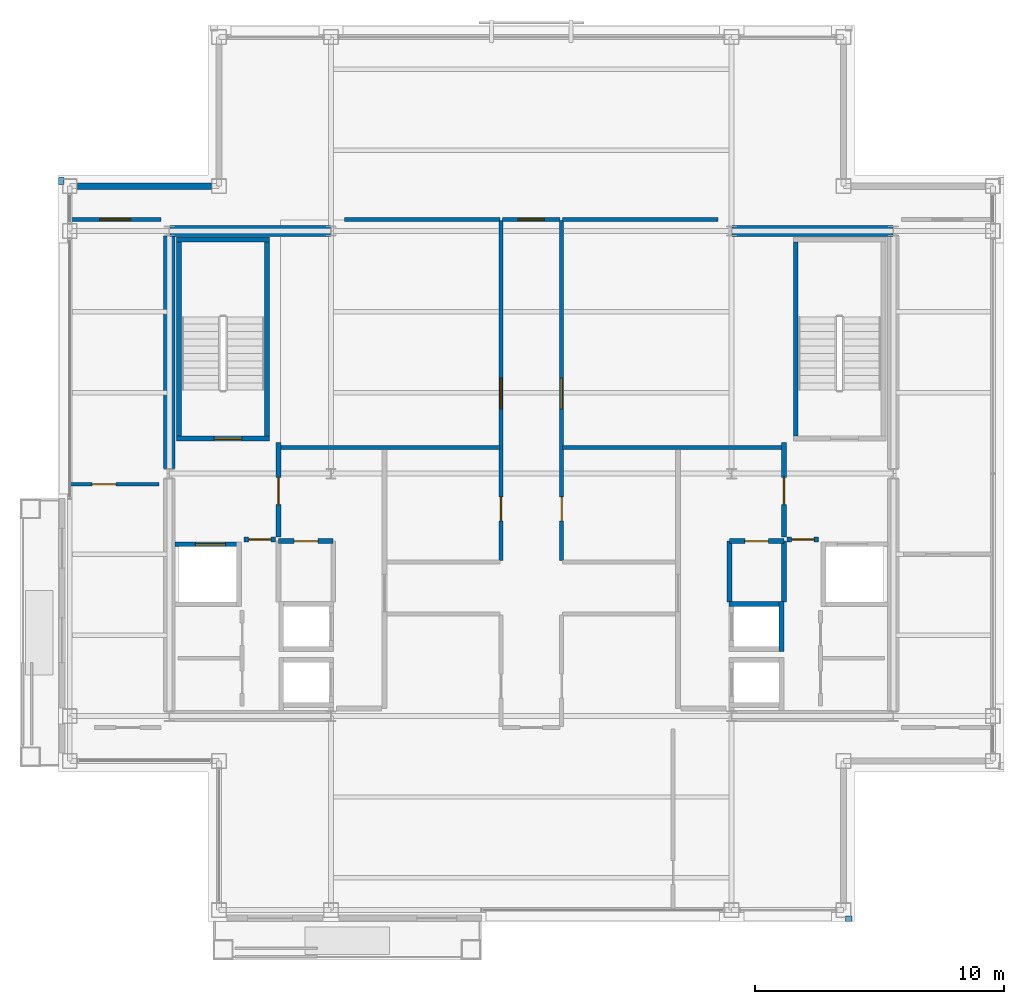
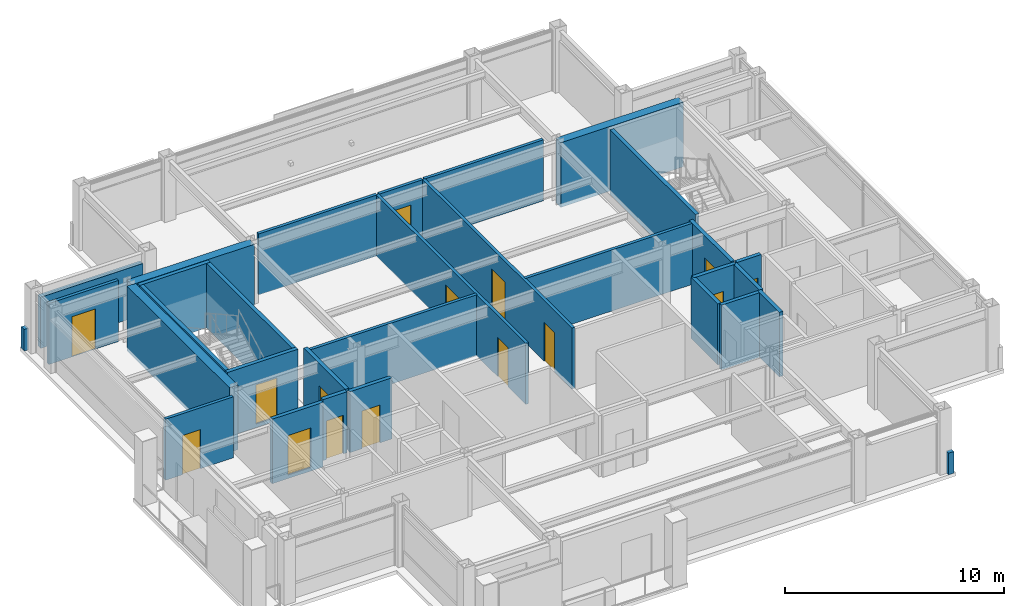
# One storey, part 21 of 24: 31 walls, 15 doors, 15 openings.
"""IFC4 building model written with IfcOpenShell, lengths in metres."""

from ifc_helpers import new_model, si_unit, direction, frame, frame_2d, origin, place, context, subcontext, project, spatial, rectangle, extrude, material, layer, layer_set, type_object, element, fill, save


model = new_model("IFC4")

# Units and contexts
model_context = context("Model", 3, precision=1e-05, world=origin(), true_north=direction((0.0, 1.0)))
body_context = subcontext(model_context, "Body", "Model", "MODEL_VIEW")
ifc_project = project(units=[si_unit("LENGTHUNIT", "METRE"), si_unit("AREAUNIT", "SQUARE_METRE"), si_unit("VOLUMEUNIT", "CUBIC_METRE"), si_unit("PLANEANGLEUNIT", "RADIAN"), si_unit("MASSUNIT", "GRAM", prefix="KILO")], contexts=[model_context])

# Site, building, storey
site_placement = place(None, origin())
site = spatial("IfcSite", under=ifc_project, at=site_placement, CompositionType="ELEMENT")
building_placement = place(site_placement, origin())
building = spatial("IfcBuilding", under=site, at=building_placement, Name="Brelmoor Portico Tower", CompositionType="ELEMENT")
storey_placement = place(building_placement, frame((0.0, 0.0, 254.39990234375)))
storey = spatial("IfcBuildingStorey", under=building, at=storey_placement, Name="L67", CompositionType="ELEMENT", Elevation=254.39990234375)

# Walls
ifc_material_1 = material(Name="Concrete C50", Category="concrete")
ifc_layer_1 = layer(ifc_material_1, 0.449951171875)
ifc_layer_set_1 = layer_set([ifc_layer_1], Name="Concrete C50")
wall_type_1 = type_object("IfcWallType", Name="WL-CORE-450", PredefinedType="SHEAR", material=ifc_layer_set_1)
wall_1_placement = place(storey_placement, frame((-14.530029296875, 9.75, -0.199951171875), z_axis=(0.0, 0.0, 1.0), x_axis=(1.0, 0.0, 0.0)))
element("IfcWall", 1, at=wall_1_placement, inside=storey, type_object=wall_type_1, Name="L67 WC North Shear Wall", PredefinedType="SHEAR", context=body_context, shape_type="SweptSolid", body=[
    extrude(rectangle(XDim=6.4599609375, YDim=0.449951171875, at=frame_2d((3.22998046875, 0.0))), origin(), (0.0, 0.0, 1.0), 3.60009765625),
])
wall_2_placement = place(storey_placement, frame((-14.550048828125, 0.199951171875, -0.199951171875), z_axis=(0.0, 0.0, 1.0), x_axis=(0.0, 1.0, 0.0)))
element("IfcWall", 2, at=wall_2_placement, inside=storey, type_object=wall_type_1, Name="L67 WC Outer North Shear Wall", PredefinedType="SHEAR", context=body_context, shape_type="SweptSolid", body=[
    extrude(rectangle(XDim=9.35009765625, YDim=0.449951171875, at=frame_2d((4.675048828125, 0.0))), origin(), (0.0, 0.0, 1.0), 3.60009765625),
])
wall_3_placement = place(storey_placement, frame((8.070068359375, 9.75, -0.199951171875), z_axis=(0.0, 0.0, 1.0), x_axis=(1.0, 0.0, 0.0)))
element("IfcWall", 3, at=wall_3_placement, inside=storey, type_object=wall_type_1, Name="L67 EC North Shear Wall", PredefinedType="SHEAR", context=body_context, shape_type="SweptSolid", body=[
    extrude(rectangle(XDim=6.4599609375, YDim=0.449951171875, at=frame_2d((3.22998046875, 0.0))), origin(), (0.0, 0.0, 1.0), 3.60009765625),
])
ifc_material_2 = material(Name="Precast Concrete C40 Insulated Facade Wall", Category="concrete")
ifc_layer_2 = layer(ifc_material_2, 0.25)
ifc_layer_set_2 = layer_set([ifc_layer_2], Name="Precast Concrete C40 Insulated Facade Wall")
wall_type_2 = type_object("IfcWallType", Name="WL-EXT-250", PredefinedType="STANDARD", material=ifc_layer_set_2)
wall_4_placement = place(storey_placement, frame((-18.239990234375, 11.550048828125, 0.0), z_axis=(0.0, 0.0, 1.0), x_axis=(1.0, 0.0, 0.0)))
element("IfcWall", 4, at=wall_4_placement, inside=storey, type_object=wall_type_2, Name="L67 Corner Notch Facade Wall NNWH1", PredefinedType="STANDARD", context=body_context, shape_type="SweptSolid", body=[
    extrude(rectangle(XDim=5.3798828125, YDim=0.25, at=frame_2d((2.68994140625, 0.0))), origin(), (0.0, 0.0, 1.0), 2.85009765625),
])
ifc_material_3 = material(Name="Concrete C40 Parapet Upstand", Category="concrete")
ifc_layer_3 = layer(ifc_material_3, 0.219970703125)
ifc_layer_set_3 = layer_set([ifc_layer_3], Name="Concrete C40 Parapet Upstand")
wall_type_3 = type_object("IfcWallType", Name="WL-PARAPET-220", PredefinedType="PARAPET", material=ifc_layer_set_3)
for number, where, z_axis, x_axis, name in (
    (5, (12.6201171875, -17.889892578125, 0.0), (0.0, 0.0, 1.0), (1.0, 0.0, 0.0), "L67 Chamfer Vertex Parapet Pier SE1"),
    (6, (-18.889892578125, 11.6201171875, 0.0), (0.0, 0.0, 1.0), (0.0, 1.0, 0.0), "L67 Chamfer Vertex Parapet Pier NW2"),
):
    element("IfcWall", number, at=place(storey_placement, frame(where, z_axis=z_axis, x_axis=x_axis)), inside=storey, type_object=wall_type_3, Name=name, PredefinedType="PARAPET", context=body_context, shape_type="SweptSolid", body=[
        extrude(rectangle(XDim=0.269775390625, YDim=0.219970703125, at=frame_2d((0.134765625, 0.0))), origin(), (0.0, 0.0, 1.0), 1.2001953125),
    ])
ifc_material_4 = material(Name="Twin-Frame Acoustic Partition", Category="gypsum")
ifc_layer_4 = layer(ifc_material_4, 0.159912109375)
ifc_layer_set_4 = layer_set([ifc_layer_4], Name="Twin-Frame Acoustic Partition")
wall_type_4 = type_object("IfcWallType", Name="WL-PART-160", PredefinedType="PARTITIONING", material=ifc_layer_set_4)
wall_5_placement = place(storey_placement, frame((-10.050048828125, 1.050048828125, 0.0), z_axis=(0.0, 0.0, 1.0), x_axis=(1.0, 0.0, 0.0)))
element("IfcWall", 7, at=wall_5_placement, inside=storey, type_object=wall_type_4, Name="L67 West Reclaimed Suite South Wall", PredefinedType="PARTITIONING", context=body_context, shape_type="SweptSolid", body=[
    extrude(rectangle(XDim=8.7900390625, YDim=0.159912109375, at=frame_2d((4.39501953125, 0.0))), origin(), (0.0, 0.0, 1.0), 3.400146484375),
])

# Wall, openings, doors
wall_6_placement = place(storey_placement, frame((-1.219970703125, -3.5, 0.0), z_axis=(0.0, 0.0, 1.0), x_axis=(0.0, 1.0, 0.0)))
wall_6 = element("IfcWall", 8, at=wall_6_placement, inside=storey, type_object=wall_type_4, Name="L67 Central Cross West Wall", PredefinedType="PARTITIONING", context=body_context, shape_type="SweptSolid", body=[
    extrude(rectangle(XDim=13.669921875, YDim=0.159912109375, at=frame_2d((6.8349609375, 0.0))), origin(), (0.0, 0.0, 1.0), 3.400146484375),
])
opening_1_placement = place(wall_6_placement, frame((6.10009765625, 0.0, 0.0)))
opening_1 = element("IfcOpeningElement", 9, at=opening_1_placement, cuts=wall_6, Name="Opening D-SU1", PredefinedType="OPENING", context=body_context, shape_type="SweptSolid", body=[
    extrude(rectangle(XDim=1.239990234375, YDim=2.239990234375, at=frame_2d((0.6201171875, 1.1201171875))), frame((0.0, 0.08984375, 0.0), z_axis=(0.0, -1.0, 0.0), x_axis=(1.0, 0.0, 0.0)), (0.0, 0.0, 1.0), 0.179931640625),
])
opening_2_placement = place(wall_6_placement, frame((1.60009765625, 0.0, 0.0)))
opening_2 = element("IfcOpeningElement", 10, at=opening_2_placement, cuts=wall_6, Name="Opening D-IN2", PredefinedType="OPENING", context=body_context, shape_type="SweptSolid", body=[
    extrude(rectangle(XDim=0.9599609375, YDim=2.179931640625, at=frame_2d((0.47998046875, 1.08984375))), frame((0.0, 0.08984375, 0.0), z_axis=(0.0, -1.0, 0.0), x_axis=(1.0, 0.0, 0.0)), (0.0, 0.0, 1.0), 0.179931640625),
])
ifc_material_5 = material(Name="Lacquered Timber Suite Door", Category="wood")
door_type_1 = type_object("IfcDoorType", Name="DR-INT-950", OperationType="NOTDEFINED", PredefinedType="DOOR", material=ifc_material_5)
door_1_placement = place(opening_2_placement, origin())
door_1 = element("IfcDoor", 11, at=door_1_placement, inside=storey, type_object=door_type_1, Name="D-2750 L67 Staff Pantry Door", OperationType="SINGLE_SWING_RIGHT", OverallHeight=2.179931640625, OverallWidth=0.9599609375, PredefinedType="DOOR", context=body_context, shape_type="SweptSolid", body=[
    extrude(rectangle(XDim=0.9599609375, YDim=2.179931640625, at=frame_2d((0.47998046875, 1.08984375))), frame((0.0, 0.02490234375, 0.0), z_axis=(0.0, -1.0, 0.0), x_axis=(1.0, 0.0, 0.0)), (0.0, 0.0, 1.0), 0.050048828125),
])
fill(opening_2, door_1)
ifc_material_6 = material(Name="Glazed Timber Executive Suite Door", Category="wood")
door_type_2 = type_object("IfcDoorType", Name="DR-SUITE-1200", OperationType="NOTDEFINED", PredefinedType="DOOR", material=ifc_material_6)
door_2_placement = place(opening_1_placement, origin())
door_2 = element("IfcDoor", 12, at=door_2_placement, inside=storey, type_object=door_type_2, Name="D-2751 L67 West Reclaimed Studio Door", OperationType="SINGLE_SWING_LEFT", OverallHeight=2.239990234375, OverallWidth=1.239990234375, PredefinedType="DOOR", context=body_context, shape_type="SweptSolid", body=[
    extrude(rectangle(XDim=1.239990234375, YDim=2.239990234375, at=frame_2d((0.6201171875, 1.1201171875))), frame((0.0, 0.02490234375, 0.0), z_axis=(0.0, -1.0, 0.0), x_axis=(1.0, 0.0, 0.0)), (0.0, 0.0, 1.0), 0.050048828125),
])
fill(opening_1, door_2)

# Walls
wall_7_placement = place(storey_placement, frame((-7.5, 10.2099609375, 0.0), z_axis=(0.0, 0.0, 1.0), x_axis=(1.0, 0.0, 0.0)))
element("IfcWall", 13, at=wall_7_placement, inside=storey, type_object=wall_type_4, Name="L67 West Reclaimed Suite North Wall", PredefinedType="PARTITIONING", context=body_context, shape_type="SweptSolid", body=[
    extrude(rectangle(XDim=6.239990234375, YDim=0.159912109375, at=frame_2d((3.1201171875, 0.0))), origin(), (0.0, 0.0, 1.0), 3.400146484375),
])
wall_8_placement = place(storey_placement, frame((1.260009765625, 1.050048828125, 0.0), z_axis=(0.0, 0.0, 1.0), x_axis=(1.0, 0.0, 0.0)))
element("IfcWall", 14, at=wall_8_placement, inside=storey, type_object=wall_type_4, Name="L67 East Suite South Wall", PredefinedType="PARTITIONING", context=body_context, shape_type="SweptSolid", body=[
    extrude(rectangle(XDim=8.800048828125, YDim=0.159912109375, at=frame_2d((4.39990234375, 0.0))), origin(), (0.0, 0.0, 1.0), 3.400146484375),
])

# Wall, openings, doors
wall_9_placement = place(storey_placement, frame((1.219970703125, -3.5, 0.0), z_axis=(0.0, 0.0, 1.0), x_axis=(0.0, 1.0, 0.0)))
wall_9 = element("IfcWall", 15, at=wall_9_placement, inside=storey, type_object=wall_type_4, Name="L67 Central Cross East Wall", PredefinedType="PARTITIONING", context=body_context, shape_type="SweptSolid", body=[
    extrude(rectangle(XDim=13.669921875, YDim=0.159912109375, at=frame_2d((6.8349609375, 0.0))), origin(), (0.0, 0.0, 1.0), 3.400146484375),
])
opening_3_placement = place(wall_9_placement, frame((6.10009765625, 0.0, 0.0)))
opening_3 = element("IfcOpeningElement", 16, at=opening_3_placement, cuts=wall_9, Name="Opening D-SU1", PredefinedType="OPENING", context=body_context, shape_type="SweptSolid", body=[
    extrude(rectangle(XDim=1.239990234375, YDim=2.239990234375, at=frame_2d((0.6201171875, 1.1201171875))), frame((0.0, 0.08984375, 0.0), z_axis=(0.0, -1.0, 0.0), x_axis=(1.0, 0.0, 0.0)), (0.0, 0.0, 1.0), 0.179931640625),
])
opening_4_placement = place(wall_9_placement, frame((1.60009765625, 0.0, 0.0)))
opening_4 = element("IfcOpeningElement", 17, at=opening_4_placement, cuts=wall_9, Name="Opening D-IN2", PredefinedType="OPENING", context=body_context, shape_type="SweptSolid", body=[
    extrude(rectangle(XDim=0.9599609375, YDim=2.179931640625, at=frame_2d((0.47998046875, 1.08984375))), frame((0.0, 0.08984375, 0.0), z_axis=(0.0, -1.0, 0.0), x_axis=(1.0, 0.0, 0.0)), (0.0, 0.0, 1.0), 0.179931640625),
])
door_3_placement = place(opening_4_placement, origin())
door_3 = element("IfcDoor", 18, at=door_3_placement, inside=storey, type_object=door_type_1, Name="D-2746 L67 Client Project Office Door", OperationType="SINGLE_SWING_RIGHT", OverallHeight=2.179931640625, OverallWidth=0.9599609375, PredefinedType="DOOR", context=body_context, shape_type="SweptSolid", body=[
    extrude(rectangle(XDim=0.9599609375, YDim=2.179931640625, at=frame_2d((0.47998046875, 1.08984375))), frame((0.0, 0.02490234375, 0.0), z_axis=(0.0, -1.0, 0.0), x_axis=(1.0, 0.0, 0.0)), (0.0, 0.0, 1.0), 0.050048828125),
])
fill(opening_4, door_3)
door_4_placement = place(opening_3_placement, origin())
door_4 = element("IfcDoor", 19, at=door_4_placement, inside=storey, type_object=door_type_2, Name="D-2747 L67 East Reclaimed Studio Door", OperationType="SINGLE_SWING_LEFT", OverallHeight=2.239990234375, OverallWidth=1.239990234375, PredefinedType="DOOR", context=body_context, shape_type="SweptSolid", body=[
    extrude(rectangle(XDim=1.239990234375, YDim=2.239990234375, at=frame_2d((0.6201171875, 1.1201171875))), frame((0.0, 0.02490234375, 0.0), z_axis=(0.0, -1.0, 0.0), x_axis=(1.0, 0.0, 0.0)), (0.0, 0.0, 1.0), 0.050048828125),
])
fill(opening_3, door_4)

# Wall
wall_10_placement = place(storey_placement, frame((1.260009765625, 10.2099609375, 0.0), z_axis=(0.0, 0.0, 1.0), x_axis=(1.0, 0.0, 0.0)))
element("IfcWall", 20, at=wall_10_placement, inside=storey, type_object=wall_type_4, Name="L67 East Suite North Wall", PredefinedType="PARTITIONING", context=body_context, shape_type="SweptSolid", body=[
    extrude(rectangle(XDim=6.239990234375, YDim=0.159912109375, at=frame_2d((3.1201171875, 0.0))), origin(), (0.0, 0.0, 1.0), 3.400146484375),
])

# Wall, opening, door
wall_11_placement = place(storey_placement, frame((-1.14990234375, 10.2099609375, 0.0), z_axis=(0.0, 0.0, 1.0), x_axis=(1.0, 0.0, 0.0)))
wall_11 = element("IfcWall", 21, at=wall_11_placement, inside=storey, type_object=wall_type_4, Name="L67 North Corridor Partition", PredefinedType="PARTITIONING", context=body_context, shape_type="SweptSolid", body=[
    extrude(rectangle(XDim=2.2998046875, YDim=0.159912109375, at=frame_2d((1.14990234375, 0.0))), origin(), (0.0, 0.0, 1.0), 3.400146484375),
])
opening_5_placement = place(wall_11_placement, frame((0.6201171875, 0.0, 0.0)))
opening_5 = element("IfcOpeningElement", 22, at=opening_5_placement, cuts=wall_11, Name="Opening D-OF2", PredefinedType="OPENING", context=body_context, shape_type="SweptSolid", body=[
    extrude(rectangle(XDim=1.06005859375, YDim=2.199951171875, at=frame_2d((0.530029296875, 1.10009765625))), frame((0.0, 0.08984375, 0.0), z_axis=(0.0, -1.0, 0.0), x_axis=(1.0, 0.0, 0.0)), (0.0, 0.0, 1.0), 0.179931640625),
])
ifc_material_7 = material(Name="Hardwood Acoustic Veneer Door", Category="wood")
door_type_3 = type_object("IfcDoorType", Name="DR-OFFICE-1050", OperationType="NOTDEFINED", PredefinedType="DOOR", material=ifc_material_7)
door_5_placement = place(opening_5_placement, origin())
door_5 = element("IfcDoor", 23, at=door_5_placement, inside=storey, type_object=door_type_3, Name="D-2764 L67 North Technical Archive Store 1 Door", OperationType="SINGLE_SWING_LEFT", OverallHeight=2.199951171875, OverallWidth=1.06005859375, PredefinedType="DOOR", context=body_context, shape_type="SweptSolid", body=[
    extrude(rectangle(XDim=1.06005859375, YDim=2.199951171875, at=frame_2d((0.530029296875, 1.10009765625))), frame((0.0, 0.02490234375, 0.0), z_axis=(0.0, -1.0, 0.0), x_axis=(1.0, 0.0, 0.0)), (0.0, 0.0, 1.0), 0.050048828125),
])
fill(opening_5, door_5)

wall_12_placement = place(storey_placement, frame((-18.56005859375, 10.2099609375, 0.0), z_axis=(0.0, 0.0, 1.0), x_axis=(1.0, 0.0, 0.0)))
wall_12 = element("IfcWall", 24, at=wall_12_placement, inside=storey, type_object=wall_type_4, Name="L67 North Wing Suite Wall WL", PredefinedType="PARTITIONING", context=body_context, shape_type="SweptSolid", body=[
    extrude(rectangle(XDim=3.68017578125, YDim=0.159912109375, at=frame_2d((1.840087890625, 0.0))), origin(), (0.0, 0.0, 1.0), 3.400146484375),
])
opening_6_placement = place(wall_12_placement, frame((1.219970703125, 0.0, 0.0)))
opening_6 = element("IfcOpeningElement", 25, at=opening_6_placement, cuts=wall_12, Name="Opening D-SU1", PredefinedType="OPENING", context=body_context, shape_type="SweptSolid", body=[
    extrude(rectangle(XDim=1.239990234375, YDim=2.239990234375, at=frame_2d((0.6201171875, 1.1201171875))), frame((0.0, 0.08984375, 0.0), z_axis=(0.0, -1.0, 0.0), x_axis=(1.0, 0.0, 0.0)), (0.0, 0.0, 1.0), 0.179931640625),
])
door_6_placement = place(opening_6_placement, origin())
door_6 = element("IfcDoor", 26, at=door_6_placement, inside=storey, type_object=door_type_2, Name="D-2766 L67 WL Wing Suite Connecting Door", OperationType="SINGLE_SWING_RIGHT", OverallHeight=2.239990234375, OverallWidth=1.239990234375, PredefinedType="DOOR", context=body_context, shape_type="SweptSolid", body=[
    extrude(rectangle(XDim=1.239990234375, YDim=2.239990234375, at=frame_2d((0.6201171875, 1.1201171875))), frame((0.0, 0.02490234375, 0.0), z_axis=(0.0, -1.0, 0.0), x_axis=(1.0, 0.0, 0.0)), (0.0, 0.0, 1.0), 0.050048828125),
])
fill(opening_6, door_6)

wall_13_placement = place(storey_placement, frame((-18.56005859375, -0.429931640625, 0.0), z_axis=(0.0, 0.0, 1.0), x_axis=(1.0, 0.0, 0.0)))
wall_13 = element("IfcWall", 27, at=wall_13_placement, inside=storey, type_object=wall_type_4, Name="L67 W Wing Partition 1", PredefinedType="PARTITIONING", context=body_context, shape_type="SweptSolid", body=[
    extrude(rectangle(XDim=3.60009765625, YDim=0.159912109375, at=frame_2d((1.800048828125, 0.0))), origin(), (0.0, 0.0, 1.0), 3.400146484375),
])
opening_7_placement = place(wall_13_placement, frame((0.89990234375, 0.0, 0.0)))
opening_7 = element("IfcOpeningElement", 28, at=opening_7_placement, cuts=wall_13, Name="Opening D-IN2", PredefinedType="OPENING", context=body_context, shape_type="SweptSolid", body=[
    extrude(rectangle(XDim=0.9599609375, YDim=2.179931640625, at=frame_2d((0.47998046875, 1.08984375))), frame((0.0, 0.08984375, 0.0), z_axis=(0.0, -1.0, 0.0), x_axis=(1.0, 0.0, 0.0)), (0.0, 0.0, 1.0), 0.179931640625),
])
door_7_placement = place(opening_7_placement, origin())
door_7 = element("IfcDoor", 29, at=door_7_placement, inside=storey, type_object=door_type_1, Name="D-2776 L67 W Wing Suite Connecting Door 1", OperationType="SINGLE_SWING_RIGHT", OverallHeight=2.179931640625, OverallWidth=0.9599609375, PredefinedType="DOOR", context=body_context, shape_type="SweptSolid", body=[
    extrude(rectangle(XDim=0.9599609375, YDim=2.179931640625, at=frame_2d((0.47998046875, 1.08984375))), frame((0.0, 0.02490234375, 0.0), z_axis=(0.0, -1.0, 0.0), x_axis=(1.0, 0.0, 0.0)), (0.0, 0.0, 1.0), 0.050048828125),
])
fill(opening_7, door_7)

ifc_material_8 = material(Name="Double-Stud Gypsum Fire Partition", Category="gypsum")
ifc_layer_5 = layer(ifc_material_8, 0.199951171875)
ifc_layer_set_5 = layer_set([ifc_layer_5], Name="Double-Stud Gypsum Fire Partition")
wall_type_5 = type_object("IfcWallType", Name="WL-PART-200", PredefinedType="PARTITIONING", material=ifc_layer_set_5)
wall_14_placement = place(storey_placement, frame((-10.159912109375, -2.550048828125, 0.0), z_axis=(0.0, 0.0, 1.0), x_axis=(0.0, 1.0, 0.0)))
wall_14 = element("IfcWall", 30, at=wall_14_placement, inside=storey, type_object=wall_type_5, Name="L67 W Firefighting Lobby Wall", PredefinedType="PARTITIONING", context=body_context, shape_type="SweptSolid", body=[
    extrude(rectangle(XDim=3.800048828125, YDim=0.199951171875, at=frame_2d((1.89990234375, 0.0))), origin(), (0.0, 0.0, 1.0), 3.400146484375),
])
opening_8_placement = place(wall_14_placement, frame((1.300048828125, 0.0, 0.0)))
opening_8 = element("IfcOpeningElement", 31, at=opening_8_placement, cuts=wall_14, Name="Opening D-FR1", PredefinedType="OPENING", context=body_context, shape_type="SweptSolid", body=[
    extrude(rectangle(XDim=1.10009765625, YDim=2.14990234375, at=frame_2d((0.550048828125, 1.074951171875))), frame((0.0, 0.10986328125, 0.0), z_axis=(0.0, -1.0, 0.0), x_axis=(1.0, 0.0, 0.0)), (0.0, 0.0, 1.0), 0.219970703125),
])
ifc_material_9 = material(Name="Painted Galvanised Steel Fire Door", Category="steel")
door_type_4 = type_object("IfcDoorType", Name="DR-FIRE-1100", OperationType="NOTDEFINED", PredefinedType="DOOR", material=ifc_material_9)
door_8_placement = place(opening_8_placement, origin())
door_8 = element("IfcDoor", 32, at=door_8_placement, inside=storey, type_object=door_type_4, Name="D-2761 L67 W Firefighting Lobby Door", OperationType="SINGLE_SWING_LEFT", OverallHeight=2.14990234375, OverallWidth=1.10009765625, PredefinedType="DOOR", context=body_context, shape_type="SweptSolid", body=[
    extrude(rectangle(XDim=1.10009765625, YDim=2.14990234375, at=frame_2d((0.550048828125, 1.074951171875))), frame((0.0, 0.02490234375, 0.0), z_axis=(0.0, -1.0, 0.0), x_axis=(1.0, 0.0, 0.0)), (0.0, 0.0, 1.0), 0.050048828125),
])
fill(opening_8, door_8)

wall_15_placement = place(storey_placement, frame((-10.280029296875, -2.64990234375, 0.0), z_axis=(0.0, 0.0, 1.0), x_axis=(-1.0, 0.0, 0.0)))
wall_15 = element("IfcWall", 33, at=wall_15_placement, inside=storey, type_object=wall_type_5, Name="L67 W Firefighting Lobby South Wall", PredefinedType="PARTITIONING", context=body_context, shape_type="SweptSolid", body=[
    extrude(rectangle(XDim=1.27001953125, YDim=0.199951171875, at=frame_2d((0.635009765625, 0.0))), origin(), (0.0, 0.0, 1.0), 3.400146484375),
])
opening_9_placement = place(wall_15_placement, frame((0.18505859375, 0.0, 0.0)))
opening_9 = element("IfcOpeningElement", 34, at=opening_9_placement, cuts=wall_15, Name="Opening D-IN1", PredefinedType="OPENING", context=body_context, shape_type="SweptSolid", body=[
    extrude(rectangle(XDim=0.89990234375, YDim=2.14990234375, at=frame_2d((0.449951171875, 1.074951171875))), frame((0.0, 0.10986328125, 0.0), z_axis=(0.0, -1.0, 0.0), x_axis=(1.0, 0.0, 0.0)), (0.0, 0.0, 1.0), 0.219970703125),
])
door_type_5 = type_object("IfcDoorType", Name="DR-INT-900", OperationType="NOTDEFINED", PredefinedType="DOOR", material=ifc_material_5)
door_9_placement = place(opening_9_placement, origin())
door_9 = element("IfcDoor", 35, at=door_9_placement, inside=storey, type_object=door_type_5, Name="D-2755 L67 W Core Service Vestibule Door", OperationType="SINGLE_SWING_RIGHT", OverallHeight=2.14990234375, OverallWidth=0.89990234375, PredefinedType="DOOR", context=body_context, shape_type="SweptSolid", body=[
    extrude(rectangle(XDim=0.89990234375, YDim=2.14990234375, at=frame_2d((0.449951171875, 1.074951171875))), frame((0.0, 0.02490234375, 0.0), z_axis=(0.0, -1.0, 0.0), x_axis=(1.0, 0.0, 0.0)), (0.0, 0.0, 1.0), 0.050048828125),
])
fill(opening_9, door_9)

wall_16_placement = place(storey_placement, frame((-7.9599609375, -2.719970703125, 0.0), z_axis=(0.0, 0.0, 1.0), x_axis=(-1.0, 0.0, 0.0)))
wall_16 = element("IfcWall", 36, at=wall_16_placement, inside=storey, type_object=wall_type_5, Name="L67 W Electrical Switchgear Closet Wall", PredefinedType="PARTITIONING", context=body_context, shape_type="SweptSolid", body=[
    extrude(rectangle(XDim=2.199951171875, YDim=0.199951171875, at=frame_2d((1.10009765625, 0.0))), origin(), (0.0, 0.0, 1.0), 3.400146484375),
])
opening_10_placement = place(wall_16_placement, frame((0.6201171875, 0.0, 0.0)))
opening_10 = element("IfcOpeningElement", 37, at=opening_10_placement, cuts=wall_16, Name="Opening D-FR4", PredefinedType="OPENING", context=body_context, shape_type="SweptSolid", body=[
    extrude(rectangle(XDim=0.949951171875, YDim=2.10009765625, at=frame_2d((0.47509765625, 1.050048828125))), frame((0.0, 0.10986328125, 0.0), z_axis=(0.0, -1.0, 0.0), x_axis=(1.0, 0.0, 0.0)), (0.0, 0.0, 1.0), 0.219970703125),
])
ifc_material_10 = material(Name="Painted Galvanised Steel Riser Door", Category="steel")
door_type_6 = type_object("IfcDoorType", Name="DR-FIRE-950", OperationType="NOTDEFINED", PredefinedType="DOOR", material=ifc_material_10)
door_10_placement = place(opening_10_placement, origin())
door_10 = element("IfcDoor", 38, at=door_10_placement, inside=storey, type_object=door_type_6, Name="D-2759 L67 W Electrical Switchgear Closet Door", OperationType="SINGLE_SWING_LEFT", OverallHeight=2.10009765625, OverallWidth=0.949951171875, PredefinedType="DOOR", context=body_context, shape_type="SweptSolid", body=[
    extrude(rectangle(XDim=0.949951171875, YDim=2.10009765625, at=frame_2d((0.47509765625, 1.050048828125))), frame((0.0, 0.02490234375, 0.0), z_axis=(0.0, -1.0, 0.0), x_axis=(1.0, 0.0, 0.0)), (0.0, 0.0, 1.0), 0.050048828125),
])
fill(opening_10, door_10)

wall_17_placement = place(storey_placement, frame((10.159912109375, -2.550048828125, 0.0), z_axis=(0.0, 0.0, 1.0), x_axis=(0.0, 1.0, 0.0)))
wall_17 = element("IfcWall", 39, at=wall_17_placement, inside=storey, type_object=wall_type_5, Name="L67 E Firefighting Lobby Wall", PredefinedType="PARTITIONING", context=body_context, shape_type="SweptSolid", body=[
    extrude(rectangle(XDim=3.800048828125, YDim=0.199951171875, at=frame_2d((1.89990234375, 0.0))), origin(), (0.0, 0.0, 1.0), 3.400146484375),
])
opening_11_placement = place(wall_17_placement, frame((1.300048828125, 0.0, 0.0)))
opening_11 = element("IfcOpeningElement", 40, at=opening_11_placement, cuts=wall_17, Name="Opening D-FR1", PredefinedType="OPENING", context=body_context, shape_type="SweptSolid", body=[
    extrude(rectangle(XDim=1.10009765625, YDim=2.14990234375, at=frame_2d((0.550048828125, 1.074951171875))), frame((0.0, 0.10986328125, 0.0), z_axis=(0.0, -1.0, 0.0), x_axis=(1.0, 0.0, 0.0)), (0.0, 0.0, 1.0), 0.219970703125),
])
door_11_placement = place(opening_11_placement, origin())
door_11 = element("IfcDoor", 41, at=door_11_placement, inside=storey, type_object=door_type_4, Name="D-2760 L67 E Firefighting Lobby Door", OperationType="SINGLE_SWING_RIGHT", OverallHeight=2.14990234375, OverallWidth=1.10009765625, PredefinedType="DOOR", context=body_context, shape_type="SweptSolid", body=[
    extrude(rectangle(XDim=1.10009765625, YDim=2.14990234375, at=frame_2d((0.550048828125, 1.074951171875))), frame((0.0, 0.02490234375, 0.0), z_axis=(0.0, -1.0, 0.0), x_axis=(1.0, 0.0, 0.0)), (0.0, 0.0, 1.0), 0.050048828125),
])
fill(opening_11, door_11)

wall_18_placement = place(storey_placement, frame((10.280029296875, -2.64990234375, 0.0), z_axis=(0.0, 0.0, 1.0), x_axis=(1.0, 0.0, 0.0)))
wall_18 = element("IfcWall", 42, at=wall_18_placement, inside=storey, type_object=wall_type_5, Name="L67 E Firefighting Lobby South Wall", PredefinedType="PARTITIONING", context=body_context, shape_type="SweptSolid", body=[
    extrude(rectangle(XDim=1.27001953125, YDim=0.199951171875, at=frame_2d((0.635009765625, 0.0))), origin(), (0.0, 0.0, 1.0), 3.400146484375),
])
opening_12_placement = place(wall_18_placement, frame((0.18505859375, 0.0, 0.0)))
opening_12 = element("IfcOpeningElement", 43, at=opening_12_placement, cuts=wall_18, Name="Opening D-IN1", PredefinedType="OPENING", context=body_context, shape_type="SweptSolid", body=[
    extrude(rectangle(XDim=0.89990234375, YDim=2.14990234375, at=frame_2d((0.449951171875, 1.074951171875))), frame((0.0, 0.10986328125, 0.0), z_axis=(0.0, -1.0, 0.0), x_axis=(1.0, 0.0, 0.0)), (0.0, 0.0, 1.0), 0.219970703125),
])
door_12_placement = place(opening_12_placement, origin())
door_12 = element("IfcDoor", 44, at=door_12_placement, inside=storey, type_object=door_type_5, Name="D-2754 L67 E Core Service Vestibule Door", OperationType="SINGLE_SWING_LEFT", OverallHeight=2.14990234375, OverallWidth=0.89990234375, PredefinedType="DOOR", context=body_context, shape_type="SweptSolid", body=[
    extrude(rectangle(XDim=0.89990234375, YDim=2.14990234375, at=frame_2d((0.449951171875, 1.074951171875))), frame((0.0, 0.02490234375, 0.0), z_axis=(0.0, -1.0, 0.0), x_axis=(1.0, 0.0, 0.0)), (0.0, 0.0, 1.0), 0.050048828125),
])
fill(opening_12, door_12)

wall_19_placement = place(storey_placement, frame((7.9599609375, -2.719970703125, 0.0), z_axis=(0.0, 0.0, 1.0), x_axis=(1.0, 0.0, 0.0)))
wall_19 = element("IfcWall", 45, at=wall_19_placement, inside=storey, type_object=wall_type_5, Name="L67 E Electrical Switchgear Closet Wall", PredefinedType="PARTITIONING", context=body_context, shape_type="SweptSolid", body=[
    extrude(rectangle(XDim=2.199951171875, YDim=0.199951171875, at=frame_2d((1.10009765625, 0.0))), origin(), (0.0, 0.0, 1.0), 3.400146484375),
])
opening_13_placement = place(wall_19_placement, frame((0.6201171875, 0.0, 0.0)))
opening_13 = element("IfcOpeningElement", 46, at=opening_13_placement, cuts=wall_19, Name="Opening D-FR4", PredefinedType="OPENING", context=body_context, shape_type="SweptSolid", body=[
    extrude(rectangle(XDim=0.949951171875, YDim=2.10009765625, at=frame_2d((0.47509765625, 1.050048828125))), frame((0.0, 0.10986328125, 0.0), z_axis=(0.0, -1.0, 0.0), x_axis=(1.0, 0.0, 0.0)), (0.0, 0.0, 1.0), 0.219970703125),
])
door_13_placement = place(opening_13_placement, origin())
door_13 = element("IfcDoor", 47, at=door_13_placement, inside=storey, type_object=door_type_6, Name="D-2758 L67 E Electrical Switchgear Closet Door", OperationType="SINGLE_SWING_RIGHT", OverallHeight=2.10009765625, OverallWidth=0.949951171875, PredefinedType="DOOR", context=body_context, shape_type="SweptSolid", body=[
    extrude(rectangle(XDim=0.949951171875, YDim=2.10009765625, at=frame_2d((0.47509765625, 1.050048828125))), frame((0.0, 0.02490234375, 0.0), z_axis=(0.0, -1.0, 0.0), x_axis=(1.0, 0.0, 0.0)), (0.0, 0.0, 1.0), 0.050048828125),
])
fill(opening_13, door_13)

# Walls
for number, where, z_axis, x_axis, name in (
    (48, (7.9599609375, -5.159912109375, 0.0), (0.0, 0.0, 1.0), (0.0, 1.0, 0.0), "L67 E Electrical Switchgear Closet Inner Wall"),
    (49, (10.159912109375, -5.159912109375, 0.0), (0.0, 0.0, 1.0), (0.0, 1.0, 0.0), "L67 E Electrical Switchgear Closet Outer Wall"),
):
    element("IfcWall", number, at=place(storey_placement, frame(where, z_axis=z_axis, x_axis=x_axis)), inside=storey, type_object=wall_type_5, Name=name, PredefinedType="PARTITIONING", context=body_context, shape_type="SweptSolid", body=[
        extrude(rectangle(XDim=2.43994140625, YDim=0.199951171875, at=frame_2d((1.219970703125, 0.0))), origin(), (0.0, 0.0, 1.0), 3.400146484375),
    ])
ifc_material_11 = material(Name="Precast Concrete C40", Category="concrete")
ifc_layer_6 = layer(ifc_material_11, 0.18994140625)
ifc_layer_set_6 = layer_set([ifc_layer_6], Name="Precast Concrete C40")
wall_type_6 = type_object("IfcWallType", Name="WL-SHAFT-180", PredefinedType="SOLIDWALL", material=ifc_layer_set_6)
wall_20_placement = place(storey_placement, frame((10.054931640625, -7.14990234375, -0.199951171875), z_axis=(0.0, 0.0, 1.0), x_axis=(0.0, 1.0, 0.0)))
element("IfcWall", 50, at=wall_20_placement, inside=storey, type_object=wall_type_6, Name="L67 Lift PH4 Hoistway Back Wall", PredefinedType="SOLIDWALL", context=body_context, shape_type="SweptSolid", body=[
    extrude(rectangle(XDim=2.0, YDim=0.18994140625, at=frame_2d((1.0, 0.0))), origin(), (0.0, 0.0, 1.0), 3.60009765625),
])
wall_21_placement = place(storey_placement, frame((7.949951171875, -5.2451171875, -0.199951171875), z_axis=(0.0, 0.0, 1.0), x_axis=(1.0, 0.0, 0.0)))
element("IfcWall", 51, at=wall_21_placement, inside=storey, type_object=wall_type_6, Name="L67 Lift PH4 Hoistway North Wall", PredefinedType="SOLIDWALL", context=body_context, shape_type="SweptSolid", body=[
    extrude(rectangle(XDim=2.199951171875, YDim=0.18994140625, at=frame_2d((1.10009765625, 0.0))), origin(), (0.0, 0.0, 1.0), 3.60009765625),
])

# Wall, opening, door
wall_22_placement = place(storey_placement, frame((-14.330078125, -2.844970703125, -0.199951171875), z_axis=(0.0, 0.0, 1.0), x_axis=(1.0, 0.0, 0.0)))
wall_22 = element("IfcWall", 52, at=wall_22_placement, inside=storey, type_object=wall_type_6, Name="L67 Lift FF1 Hoistway Front Wall", PredefinedType="SOLIDWALL", context=body_context, shape_type="SweptSolid", body=[
    extrude(rectangle(XDim=2.68017578125, YDim=0.18994140625, at=frame_2d((1.340087890625, 0.0))), origin(), (0.0, 0.0, 1.0), 3.60009765625),
])
opening_14_placement = place(wall_22_placement, frame((0.830078125, 0.0, 0.199951171875)))
opening_14 = element("IfcOpeningElement", 53, at=opening_14_placement, cuts=wall_22, Name="Opening LD-02", PredefinedType="OPENING", context=body_context, shape_type="SweptSolid", body=[
    extrude(rectangle(XDim=1.199951171875, YDim=2.199951171875, at=frame_2d((0.60009765625, 1.10009765625))), frame((0.0, 0.10498046875, 0.0), z_axis=(0.0, -1.0, 0.0), x_axis=(1.0, 0.0, 0.0)), (0.0, 0.0, 1.0), 0.2099609375),
])
ifc_material_12 = material(Name="Brushed Stainless Steel Firefighting Lift Door", Category="steel")
door_type_7 = type_object("IfcDoorType", Name="DR-LIFT-1200", OperationType="NOTDEFINED", PredefinedType="DOOR", material=ifc_material_12)
door_14_placement = place(opening_14_placement, origin())
door_14 = element("IfcDoor", 54, at=door_14_placement, inside=storey, type_object=door_type_7, Name="D-2777 L67 Lift FF1 Sliding Landing Door", OperationType="SLIDING_TO_LEFT", OverallHeight=2.199951171875, OverallWidth=1.199951171875, PredefinedType="DOOR", context=body_context, shape_type="SweptSolid", body=[
    extrude(rectangle(XDim=1.199951171875, YDim=2.199951171875, at=frame_2d((0.60009765625, 1.10009765625))), frame((0.0, 0.02490234375, 0.0), z_axis=(0.0, -1.0, 0.0), x_axis=(1.0, 0.0, 0.0)), (0.0, 0.0, 1.0), 0.050048828125),
])
fill(opening_14, door_14)

# Wall
ifc_material_13 = material(Name="Concrete C40", Category="concrete")
ifc_layer_7 = layer(ifc_material_13, 0.199951171875)
ifc_layer_set_7 = layer_set([ifc_layer_7], Name="Concrete C40")
wall_type_7 = type_object("IfcWallType", Name="WL-SHAFT-RC200", PredefinedType="SOLIDWALL", material=ifc_layer_set_7)
wall_23_placement = place(storey_placement, frame((-14.14990234375, 1.5, -0.199951171875), z_axis=(0.0, 0.0, 1.0), x_axis=(0.0, 1.0, 0.0)))
element("IfcWall", 55, at=wall_23_placement, inside=storey, type_object=wall_type_7, Name="L67 ST-W Structural Stair Wall Outer", PredefinedType="SOLIDWALL", context=body_context, shape_type="SweptSolid", body=[
    extrude(rectangle(XDim=7.800048828125, YDim=0.199951171875, at=frame_2d((3.89990234375, 0.0))), origin(), (0.0, 0.0, 1.0), 3.60009765625),
])

# Wall, opening, door
wall_24_placement = place(storey_placement, frame((-14.25, 1.39990234375, -0.199951171875), z_axis=(0.0, 0.0, 1.0), x_axis=(1.0, 0.0, 0.0)))
wall_24 = element("IfcWall", 56, at=wall_24_placement, inside=storey, type_object=wall_type_7, Name="L67 ST-W Structural Stair Wall S", PredefinedType="SOLIDWALL", context=body_context, shape_type="SweptSolid", body=[
    extrude(rectangle(XDim=3.719970703125, YDim=0.199951171875, at=frame_2d((1.85986328125, 0.0))), origin(), (0.0, 0.0, 1.0), 3.60009765625),
])
opening_15_placement = place(wall_24_placement, frame((1.5, 0.0, 0.199951171875)))
opening_15 = element("IfcOpeningElement", 57, at=opening_15_placement, cuts=wall_24, Name="Opening D-ST1", PredefinedType="OPENING", context=body_context, shape_type="SweptSolid", body=[
    extrude(rectangle(XDim=1.1201171875, YDim=2.179931640625, at=frame_2d((0.56005859375, 1.08984375))), frame((0.0, 0.10986328125, 0.0), z_axis=(0.0, -1.0, 0.0), x_axis=(1.0, 0.0, 0.0)), (0.0, 0.0, 1.0), 0.219970703125),
])
door_type_8 = type_object("IfcDoorType", Name="DR-STAIR-1100", OperationType="NOTDEFINED", PredefinedType="DOOR", material=ifc_material_9)
door_15_placement = place(opening_15_placement, origin())
door_15 = element("IfcDoor", 58, at=door_15_placement, inside=storey, type_object=door_type_8, Name="D-2770 L67 ST-W Protected Exit Stair Door", OperationType="SINGLE_SWING_LEFT", OverallHeight=2.179931640625, OverallWidth=1.1201171875, PredefinedType="DOOR", context=body_context, shape_type="SweptSolid", body=[
    extrude(rectangle(XDim=1.1201171875, YDim=2.179931640625, at=frame_2d((0.56005859375, 1.08984375))), frame((0.0, 0.02490234375, 0.0), z_axis=(0.0, -1.0, 0.0), x_axis=(1.0, 0.0, 0.0)), (0.0, 0.0, 1.0), 0.050048828125),
])
fill(opening_15, door_15)

# Walls
wall_25_placement = place(storey_placement, frame((-14.25, 9.39990234375, -0.199951171875), z_axis=(0.0, 0.0, 1.0), x_axis=(1.0, 0.0, 0.0)))
element("IfcWall", 59, at=wall_25_placement, inside=storey, type_object=wall_type_7, Name="L67 ST-W Structural Stair Wall N", PredefinedType="SOLIDWALL", context=body_context, shape_type="SweptSolid", body=[
    extrude(rectangle(XDim=3.719970703125, YDim=0.199951171875, at=frame_2d((1.85986328125, 0.0))), origin(), (0.0, 0.0, 1.0), 3.60009765625),
])
for number, where, z_axis, x_axis, name in (
    (60, (-10.6298828125, 1.5, -0.199951171875), (0.0, 0.0, 1.0), (0.0, 1.0, 0.0), "L67 ST-W Structural Stair Wall Inner"),
    (61, (10.6298828125, 1.5, -0.199951171875), (0.0, 0.0, 1.0), (0.0, 1.0, 0.0), "L67 ST-E Structural Stair Wall Inner"),
):
    element("IfcWall", number, at=place(storey_placement, frame(where, z_axis=z_axis, x_axis=x_axis)), inside=storey, type_object=wall_type_7, Name=name, PredefinedType="SOLIDWALL", context=body_context, shape_type="SweptSolid", body=[
        extrude(rectangle(XDim=7.800048828125, YDim=0.199951171875, at=frame_2d((3.89990234375, 0.0))), origin(), (0.0, 0.0, 1.0), 3.60009765625),
    ])

save(model, "model.ifc")
